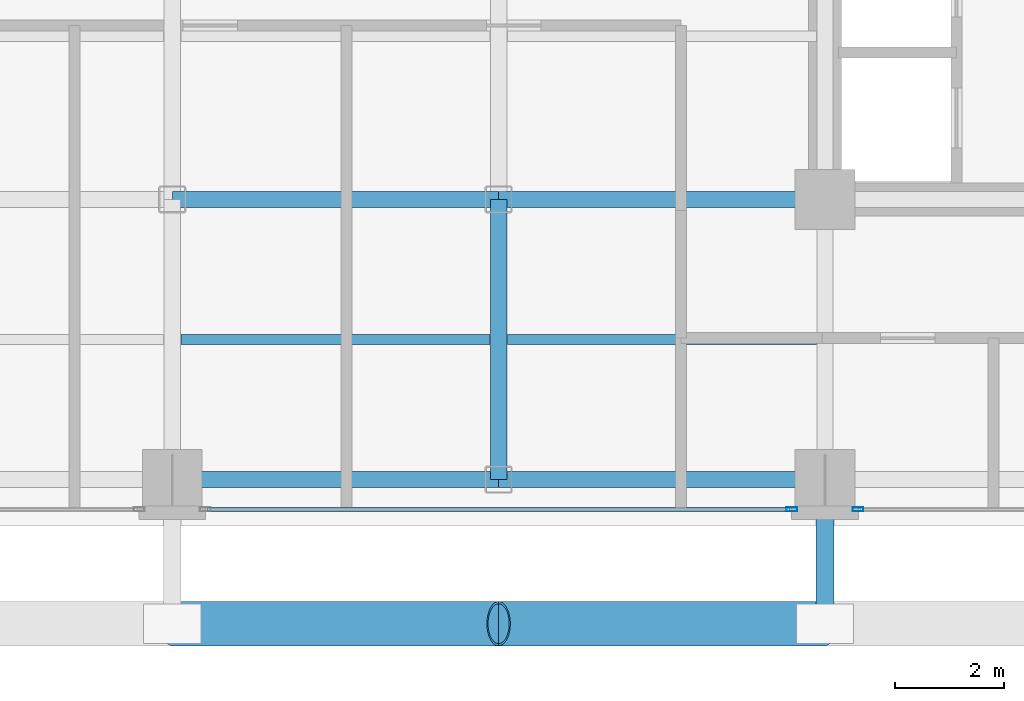
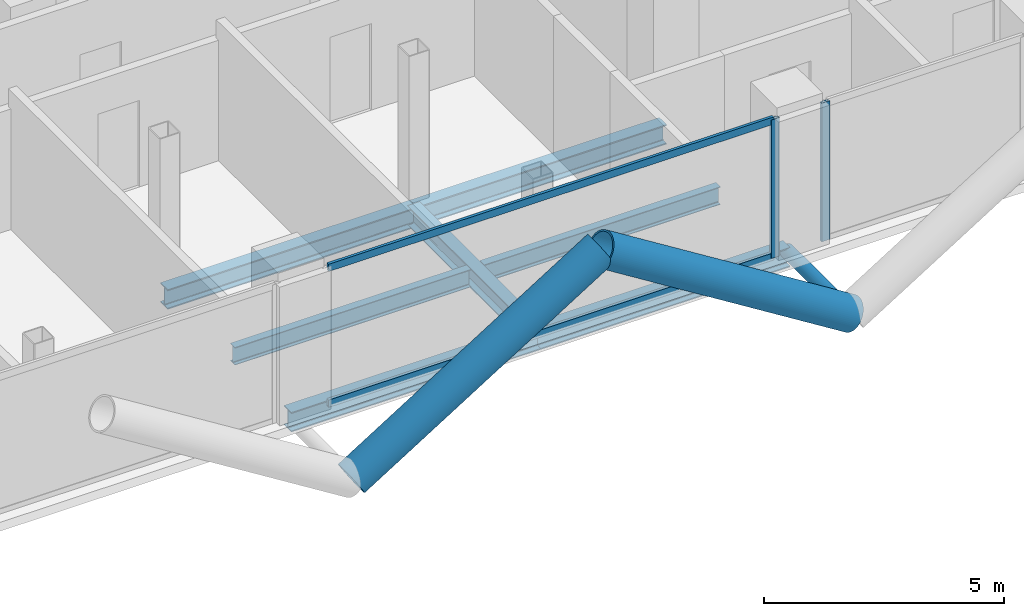
# One storey, part 4 of 28: 7 beams, 7 members, 2 elements without a shape of their own.
"""IFC4 building model written with IfcOpenShell, lengths in metres."""

import ifcopenshell
import ifcopenshell.guid

model = None  # the IFC model being written
_history = None  # IfcOwnerHistory: only IFC2X3 demands one
_inside = {}  # id of a spatial element -> (the spatial element, [elements in it])
_under = {}  # id of a project, library or spatial element -> (it, [spatial elements below it])
_declared = {}  # id of a project -> (the project, [libraries it declares])
_typed = {}  # id of a type object -> (the type object, [elements of that type])
_made_of = {}  # id of a material, layer set ... -> (it, [elements and type objects made of it])


def new_model(schema):
    """Start an empty IFC model of exactly this schema.

    Asked for "IFC4X3", IfcOpenShell would pick the latest addendum, in which some entities
    have other attributes; the version numbers below select the first issue.
    IFC2X3 requires an IfcOwnerHistory on every rooted entity: one is made here for all.
    """
    global model, _history
    if schema == "IFC4X3":
        model = ifcopenshell.file(schema_version=(4, 3, 0, 0))
    else:
        model = ifcopenshell.file(schema=schema)
    _inside.clear()
    _under.clear()
    _declared.clear()
    _typed.clear()
    _made_of.clear()
    _history = None
    if model.schema == "IFC2X3":
        org = make("IfcOrganization", Name="unknown")
        user = make(
            "IfcPersonAndOrganization",
            ThePerson=make("IfcPerson", FamilyName="unknown"),
            TheOrganization=org,
        )
        app = make(
            "IfcApplication",
            ApplicationDeveloper=org,
            Version="unknown",
            ApplicationFullName="unknown",
            ApplicationIdentifier="unknown",
        )
        _history = make(
            "IfcOwnerHistory",
            OwningUser=user,
            OwningApplication=app,
            ChangeAction="ADDED",
            CreationDate=0,
        )
    return model


def make(cls, **values):
    """One entity of the class cls with the attributes given. An attribute that is None is left unset."""
    return model.create_entity(
        cls, **{name: value for name, value in values.items() if value is not None}
    )


def rooted(cls, **values):
    """An entity with a GlobalId (a new one), such as an element, a storey or a relation."""
    return make(cls, GlobalId=ifcopenshell.guid.new(), OwnerHistory=_history, **values)


def si_unit(unit_type, name, prefix=None):
    """IfcSIUnit, for example si_unit("LENGTHUNIT", "METRE", prefix="MILLI")."""
    return make("IfcSIUnit", UnitType=unit_type, Prefix=prefix, Name=name)


def assignment(units):
    """IfcUnitAssignment: the units of a project."""
    return None if units is None else make("IfcUnitAssignment", Units=units)


def point(xyz):
    """IfcCartesianPoint."""
    return None if xyz is None else make("IfcCartesianPoint", Coordinates=xyz)


def direction(xyz):
    """IfcDirection."""
    return None if xyz is None else make("IfcDirection", DirectionRatios=xyz)


def frame(location, z_axis=None, x_axis=None):
    """IfcAxis2Placement3D, a coordinate frame: its origin and axes. An axis left out is left unset."""
    return make(
        "IfcAxis2Placement3D",
        Location=point(location),
        Axis=direction(z_axis),
        RefDirection=direction(x_axis),
    )


def frame_2d(location, x_axis=None):
    """IfcAxis2Placement2D, a coordinate frame in the plane: its origin and x axis."""
    return make(
        "IfcAxis2Placement2D", Location=point(location), RefDirection=direction(x_axis)
    )


def origin():
    """The frame at (0, 0, 0) with its axes left unset."""
    return frame((0.0, 0.0, 0.0))


def origin_2d():
    """The frame at (0, 0) in the plane with its x axis left unset."""
    return frame_2d((0.0, 0.0))


def place(relative_to, where):
    """IfcLocalPlacement: puts the frame where relative to a parent placement (None: the world)."""
    return make(
        "IfcLocalPlacement", PlacementRelTo=relative_to, RelativePlacement=where
    )


def context(
    kind, dimensions, precision=None, world=None, true_north=None, identifier=None
):
    """IfcGeometricRepresentationContext, for example the 3D "Model" context."""
    return make(
        "IfcGeometricRepresentationContext",
        ContextIdentifier=identifier,
        ContextType=kind,
        CoordinateSpaceDimension=dimensions,
        Precision=precision,
        WorldCoordinateSystem=world,
        TrueNorth=true_north,
    )


def subcontext(parent, identifier, kind, view, scale=None):
    """IfcGeometricRepresentationSubContext, for example "Body" below "Model"."""
    return make(
        "IfcGeometricRepresentationSubContext",
        ContextIdentifier=identifier,
        ContextType=kind,
        ParentContext=parent,
        TargetScale=scale,
        TargetView=view,
    )


def project(units=None, contexts=None):
    """IfcProject with its units and contexts."""
    return rooted(
        "IfcProject",
        Name="project",
        RepresentationContexts=contexts,
        UnitsInContext=assignment(units),
    )


def spatial(cls, under=None, at=None, **own):
    """A site, building, storey or space (cls), placed at a placement, below another one or the project."""
    s = rooted(cls, ObjectPlacement=at, **own)
    if under is not None:
        _under.setdefault(under.id(), (under, []))[1].append(s)
    return s


def profile(cls, at=None, kind="AREA", **sizes):
    """A parametric profile (cls). Its sizes go by their IFC names, for example OverallWidth=200.0."""
    return make(cls, ProfileType=kind, Position=at, **sizes)


def hollow_rectangle(**sizes):
    """IfcRectangleHollowProfileDef."""
    return profile("IfcRectangleHollowProfileDef", **sizes)


def hollow_circle(**sizes):
    """IfcCircleHollowProfileDef."""
    return profile("IfcCircleHollowProfileDef", **sizes)


def i_section(**sizes):
    """IfcIShapeProfileDef."""
    return profile("IfcIShapeProfileDef", **sizes)


def extrude(swept, where, along, depth):
    """IfcExtrudedAreaSolid: the profile swept, set in the frame where, extruded along a direction by depth."""
    return make(
        "IfcExtrudedAreaSolid",
        SweptArea=swept,
        Position=where,
        ExtrudedDirection=direction(along),
        Depth=depth,
    )


def shape(context_of_items, identifier, shape_type, items):
    """IfcShapeRepresentation: the items that make up one representation, for example the "Body"."""
    return make(
        "IfcShapeRepresentation",
        ContextOfItems=context_of_items,
        RepresentationIdentifier=identifier,
        RepresentationType=shape_type,
        Items=items,
    )


def material(Name=None, Category=None):
    """IfcMaterial."""
    return make("IfcMaterial", Name=Name, Category=Category)


def layer(
    of_material, thickness, ventilated=None, Name=None, Category=None, Priority=None
):
    """IfcMaterialLayer: one layer of a wall or slab, of a material (None: an air gap)."""
    return make(
        "IfcMaterialLayer",
        Material=of_material,
        LayerThickness=thickness,
        IsVentilated=ventilated,
        Name=Name,
        Category=Category,
        Priority=Priority,
    )


def layer_set(layers, Name=None):
    """IfcMaterialLayerSet."""
    return make("IfcMaterialLayerSet", MaterialLayers=layers, LayerSetName=Name)


def material_profile(
    of_material, cross_section, Name=None, Category=None, Priority=None
):
    """IfcMaterialProfile: a cross section and its material."""
    return make(
        "IfcMaterialProfile",
        Name=Name,
        Material=of_material,
        Profile=cross_section,
        Priority=Priority,
        Category=Category,
    )


def profile_set(profiles, Name=None, composite=None):
    """IfcMaterialProfileSet."""
    return make(
        "IfcMaterialProfileSet",
        Name=Name,
        MaterialProfiles=profiles,
        CompositeProfile=composite,
    )


def made_of(thing, what):
    """Note that an element or type object is made of a material, layer set ...; save() writes the relation."""
    if what is not None:
        _made_of.setdefault(what.id(), (what, []))[1].append(thing)
    return thing


def type_object(cls, material=None, **own):
    """A type object (cls), such as IfcWallType, which elements share."""
    return made_of(rooted(cls, **own), material)


def element(
    cls,
    number,
    at=None,
    inside=None,
    cuts=None,
    type_object=None,
    material=None,
    context=None,
    identifier="Body",
    shape_type=None,
    held_by="IfcProductDefinitionShape",
    body=None,
    shapes=None,
    **own,
):
    """One element of the class cls, such as IfcWall. Its Tag is "e" and its number.

    at: its placement. inside: the storey or other place that contains it. cuts: it is an
    opening in that element (IfcRelVoidsElement). A single representation is given by context,
    identifier, shape_type and body (its items); several are given by shapes. held_by: the class
    of the entity that holds the representations. save() writes the other relations.
    """
    e = rooted(cls, Tag="e%d" % number, ObjectPlacement=at, **own)
    if body is not None:
        shapes = [shape(context, identifier, shape_type, body)]
    if shapes is not None:
        e.Representation = make(held_by, Representations=shapes)
    if inside is not None:
        _inside.setdefault(inside.id(), (inside, []))[1].append(e)
    if cuts is not None:
        rooted(
            "IfcRelVoidsElement", RelatingBuildingElement=cuts, RelatedOpeningElement=e
        )
    if type_object is not None:
        _typed.setdefault(type_object.id(), (type_object, []))[1].append(e)
    return made_of(e, material)


def aggregate(whole, parts):
    """IfcRelAggregates: a whole, such as a stair, and the parts it consists of."""
    return rooted("IfcRelAggregates", RelatingObject=whole, RelatedObjects=parts)


def save(model, path):
    """Write the relations noted so far, then the file.

    IfcRelAggregates (storeys below a building ...), IfcRelContainedInSpatialStructure (elements
    in a storey), IfcRelDefinesByType, IfcRelAssociatesMaterial and IfcRelDeclares: one each for
    every whole, place, type object, material and project.
    """
    for whole, parts in _under.values():
        aggregate(whole, parts)
    for where, things in _inside.values():
        rooted(
            "IfcRelContainedInSpatialStructure",
            RelatedElements=things,
            RelatingStructure=where,
        )
    for kind, things in _typed.values():
        rooted("IfcRelDefinesByType", RelatedObjects=things, RelatingType=kind)
    for what, things in _made_of.values():
        rooted("IfcRelAssociatesMaterial", RelatedObjects=things, RelatingMaterial=what)
    for by, libraries in _declared.values():
        rooted("IfcRelDeclares", RelatingContext=by, RelatedDefinitions=libraries)
    model.write(path)


model = new_model("IFC4")

# Units and contexts
model_context = context("Model", 3, precision=1e-05, world=origin(), true_north=direction((0.0, 1.0)))
body_context = subcontext(model_context, "Body", "Model", "MODEL_VIEW")
ifc_project = project(units=[si_unit("LENGTHUNIT", "METRE"), si_unit("AREAUNIT", "SQUARE_METRE"), si_unit("VOLUMEUNIT", "CUBIC_METRE"), si_unit("PLANEANGLEUNIT", "RADIAN"), si_unit("MASSUNIT", "GRAM", prefix="KILO"), si_unit("THERMODYNAMICTEMPERATUREUNIT", "KELVIN"), si_unit("POWERUNIT", "WATT")], contexts=[model_context])

# Site, building, storey
site_placement = place(None, origin())
site = spatial("IfcSite", under=ifc_project, at=site_placement, CompositionType="ELEMENT")
building_placement = place(site_placement, origin())
building = spatial("IfcBuilding", under=site, at=building_placement, Name="Svarakhadi Broadcast Tower", CompositionType="ELEMENT")
storey_placement = place(building_placement, frame((0.0, 0.0, 123.14990234375)))
storey = spatial("IfcBuildingStorey", under=building, at=storey_placement, Name="L29", CompositionType="ELEMENT", Elevation=123.14990234375)

# Beams
ifc_material_1 = material(Name="Steel S355J2 (IS 2062 E350C)", Category="steel")
ifc_material_profile_1 = material_profile(ifc_material_1, i_section(OverallWidth=0.18994140625, OverallDepth=0.449951171875, WebThickness=0.009521484375, FlangeThickness=0.0146484375, FilletRadius=0.02099609375, at=origin_2d()), Name="NPB 450x190x78")
ifc_profile_set_1 = profile_set([ifc_material_profile_1], Name="Steel S355J2 (IS 2062 E350C)")
beam_type_1 = type_object("IfcBeamType", Name="Beam_NPB450", PredefinedType="BEAM", material=ifc_profile_set_1)
for number, where, z_axis, x_axis, name in (
    (1, (12.159912109375, 3.425048828125, -0.449951171875), (1.0, 0.0, 0.0), (0.0, 1.0, 0.0), "L29 Secondary Composite Beam SB011"),
    (2, (18.159912109375, 3.425048828125, -0.449951171875), (1.0, 0.0, 0.0), (0.0, 1.0, 0.0), "L29 Secondary Composite Beam SB016"),
):
    element("IfcBeam", number, at=place(storey_placement, frame(where, z_axis=z_axis, x_axis=x_axis)), inside=storey, type_object=beam_type_1, Name=name, PredefinedType="BEAM", context=body_context, shape_type="SweptSolid", body=[
        extrude(i_section(OverallWidth=0.18994140625, OverallDepth=0.449951171875, WebThickness=0.009521484375, FlangeThickness=0.0146484375, FilletRadius=0.02099609375, at=origin_2d()), origin(), (0.0, 0.0, 1.0), 5.68017578125),
    ])

# Curtain wall, member
ifc_material_2 = material(Name="Anodised Bronze Aluminium AA 6063-T6", Category="aluminium")
ifc_layer = layer(ifc_material_2, 0.199951171875)
ifc_layer_set = layer_set([ifc_layer], Name="Anodised Bronze Aluminium AA 6063-T6")
curtain_wall_type = type_object("IfcCurtainWallType", Name="CW_Sys_03", PredefinedType="NOTDEFINED", material=ifc_layer_set)
curtain_wall_1_placement = place(storey_placement, origin())
curtain_wall_1 = element("IfcCurtainWall", 3, at=curtain_wall_1_placement, inside=storey, type_object=curtain_wall_type, Name="L29 South Curtain Wall 17 Bay 2", PredefinedType="NOTDEFINED")
ifc_material_profile_2 = material_profile(ifc_material_2, hollow_rectangle(XDim=0.074951171875, YDim=0.199951171875, WallThickness=0.005615234375, at=origin_2d()), Name="ALU MULLION 200x75x6")
ifc_profile_set_2 = profile_set([ifc_material_profile_2], Name="Anodised Bronze Aluminium AA 6063-T6")
member_type_1 = type_object("IfcMemberType", Name="CW_Sys_03_Mul", PredefinedType="MULLION", material=ifc_profile_set_2)
member_1_placement = place(storey_placement, frame((24.607421875, 0.300048828125, 0.0), z_axis=(0.0, 0.0, 1.0), x_axis=(0.0, -1.0, 0.0)))
member_1 = element("IfcMember", 4, at=member_1_placement, type_object=member_type_1, Name="CW-03 mullion 2", PredefinedType="MULLION", context=body_context, shape_type="SweptSolid", body=[
    extrude(hollow_rectangle(XDim=0.074951171875, YDim=0.199951171875, WallThickness=0.005615234375, at=origin_2d()), origin(), (0.0, 0.0, 1.0), 3.525146484375),
])
aggregate(curtain_wall_1, [member_1])

# Curtain wall, members
curtain_wall_2_placement = place(storey_placement, origin())
curtain_wall_2 = element("IfcCurtainWall", 5, at=curtain_wall_2_placement, inside=storey, type_object=curtain_wall_type, Name="L29 South Curtain Wall 17 Bay 3", PredefinedType="NOTDEFINED")
member_2_placement = place(storey_placement, frame((23.392578125, 0.300048828125, 0.0), z_axis=(0.0, 0.0, 1.0), x_axis=(0.0, -1.0, 0.0)))
member_2 = element("IfcMember", 6, at=member_2_placement, type_object=member_type_1, Name="CW-03 mullion 1", PredefinedType="MULLION", context=body_context, shape_type="SweptSolid", body=[
    extrude(hollow_rectangle(XDim=0.074951171875, YDim=0.199951171875, WallThickness=0.005615234375, at=origin_2d()), origin(), (0.0, 0.0, 1.0), 3.525146484375),
])
ifc_material_profile_3 = material_profile(ifc_material_2, hollow_rectangle(XDim=0.070068359375, YDim=0.18505859375, WallThickness=0.0048828125, at=origin_2d()), Name="ALU TRANSOM 185x70x5")
ifc_profile_set_3 = profile_set([ifc_material_profile_3], Name="Anodised Bronze Aluminium AA 6063-T6")
member_type_2 = type_object("IfcMemberType", Name="CW_Sys_03_Trn", PredefinedType="USERDEFINED", material=ifc_profile_set_3)
member_3_placement = place(storey_placement, frame((23.35498046875, 0.300048828125, 0.03515625), z_axis=(-1.0, 0.0, 0.0), x_axis=(0.0, -1.0, 0.0)))
member_3 = element("IfcMember", 7, at=member_3_placement, type_object=member_type_2, Name="CW-03 transom 1.1", ObjectType="TRANSOM", PredefinedType="USERDEFINED", context=body_context, shape_type="SweptSolid", body=[
    extrude(hollow_rectangle(XDim=0.070068359375, YDim=0.18505859375, WallThickness=0.0048828125, at=origin_2d()), origin(), (0.0, 0.0, 1.0), 10.7099609375),
])
member_4_placement = place(storey_placement, frame((23.35498046875, 0.300048828125, 3.489990234375), z_axis=(-1.0, 0.0, 0.0), x_axis=(0.0, -1.0, 0.0)))
member_4 = element("IfcMember", 8, at=member_4_placement, type_object=member_type_2, Name="CW-03 transom 1.2", ObjectType="TRANSOM", PredefinedType="USERDEFINED", context=body_context, shape_type="SweptSolid", body=[
    extrude(hollow_rectangle(XDim=0.070068359375, YDim=0.18505859375, WallThickness=0.0048828125, at=origin_2d()), origin(), (0.0, 0.0, 1.0), 10.7099609375),
])
aggregate(curtain_wall_2, [member_2, member_3, member_4])

# Members
ifc_material_3 = material(Name="Steel S460ML (IS 2062 E450BR)", Category="steel")
ifc_material_profile_4 = material_profile(ifc_material_3, hollow_circle(Radius=0.406494140625, WallThickness=0.0400390625, at=origin_2d()), Name="CHS 813x40")
ifc_profile_set_4 = profile_set([ifc_material_profile_4], Name="Steel S460ML (IS 2062 E450BR)")
member_type_3 = type_object("IfcMemberType", Name="Exo_Brace_CHS813", PredefinedType="BRACE", material=ifc_profile_set_4)
for number, where, z_axis, x_axis, name in (
    (9, (12.0, -1.800048828125, -0.386962890625), (0.847998304005, 0.0, 0.529998940003), (0.0, 1.0, 0.0), "L29 Exposed Bronze Exoskeleton Diagonal S02"),
    (10, (24.0, -1.800048828125, -0.386962890625), (-0.847998304005, 0.0, 0.529998940003), (0.0, -1.0, 0.0), "L29 Exposed Bronze Exoskeleton Diagonal S03"),
):
    element("IfcMember", number, at=place(storey_placement, frame(where, z_axis=z_axis, x_axis=x_axis)), inside=storey, type_object=member_type_3, Name=name, PredefinedType="BRACE", context=body_context, shape_type="SweptSolid", body=[
        extrude(hollow_circle(Radius=0.406494140625, WallThickness=0.0400390625, at=origin_2d()), origin(), (0.0, 0.0, 1.0), 7.075439453125),
    ])
ifc_material_profile_5 = material_profile(ifc_material_3, hollow_circle(Radius=0.161865234375, WallThickness=0.01611328125, at=origin_2d()), Name="CHS 323.9x16")
ifc_profile_set_5 = profile_set([ifc_material_profile_5], Name="Steel S460ML (IS 2062 E450BR)")
member_type_4 = type_object("IfcMemberType", Name="Exo_Radial_Strut_Z2", PredefinedType="STRUT", material=ifc_profile_set_5)
member_5_placement = place(storey_placement, frame((24.0, -1.800048828125, -0.386962890625), z_axis=(0.0, 1.0, 0.0), x_axis=(-1.0, 0.0, 0.0)))
element("IfcMember", 11, at=member_5_placement, inside=storey, type_object=member_type_4, Name="L29 Exoskeleton Radial Tie Strut S02", PredefinedType="STRUT", context=body_context, shape_type="SweptSolid", body=[
    extrude(hollow_circle(Radius=0.161865234375, WallThickness=0.01611328125, at=origin_2d()), origin(), (0.0, 0.0, 1.0), 2.650146484375),
])

# Beams
ifc_material_profile_6 = material_profile(ifc_material_1, i_section(OverallWidth=0.300048828125, OverallDepth=0.5, WebThickness=0.014404296875, FlangeThickness=0.028076171875, FilletRadius=0.027099609375, at=origin_2d()), Name="WPB 500x300x187")
ifc_profile_set_6 = profile_set([ifc_material_profile_6], Name="Steel S355J2 (IS 2062 E350C)")
beam_type_2 = type_object("IfcBeamType", Name="Girder_WPB500", PredefinedType="USERDEFINED", material=ifc_profile_set_6)
for number, where, z_axis, x_axis, name in (
    (12, (12.0, 0.85009765625, -0.474853515625), (1.0, 0.0, 0.0), (0.0, 1.0, 0.0), "L29 Primary E-W Girder G005"),
    (13, (18.0, 0.85009765625, -0.474853515625), (1.0, 0.0, 0.0), (0.0, 1.0, 0.0), "L29 Primary E-W Girder G006"),
    (14, (12.0, 6.0, -0.474853515625), (1.0, 0.0, 0.0), (0.0, 1.0, 0.0), "L29 Primary E-W Girder G012"),
    (15, (18.0, 6.0, -0.474853515625), (1.0, 0.0, 0.0), (0.0, 1.0, 0.0), "L29 Primary E-W Girder G013"),
):
    element("IfcBeam", number, at=place(storey_placement, frame(where, z_axis=z_axis, x_axis=x_axis)), inside=storey, type_object=beam_type_2, Name=name, ObjectType="GIRDER", PredefinedType="USERDEFINED", context=body_context, shape_type="SweptSolid", body=[
        extrude(i_section(OverallWidth=0.300048828125, OverallDepth=0.5, WebThickness=0.014404296875, FlangeThickness=0.028076171875, FilletRadius=0.027099609375, at=origin_2d()), origin(), (0.0, 0.0, 1.0), 6.0),
    ])
beam_placement = place(storey_placement, frame((18.0, 0.85009765625, -0.474853515625), z_axis=(0.0, 1.0, 0.0), x_axis=(-1.0, 0.0, 0.0)))
element("IfcBeam", 16, at=beam_placement, inside=storey, type_object=beam_type_2, Name="L29 Primary N-S Girder G056", ObjectType="GIRDER", PredefinedType="USERDEFINED", context=body_context, shape_type="SweptSolid", body=[
    extrude(i_section(OverallWidth=0.300048828125, OverallDepth=0.5, WebThickness=0.014404296875, FlangeThickness=0.028076171875, FilletRadius=0.027099609375, at=origin_2d()), origin(), (0.0, 0.0, 1.0), 5.14990234375),
])

save(model, "model.ifc")
